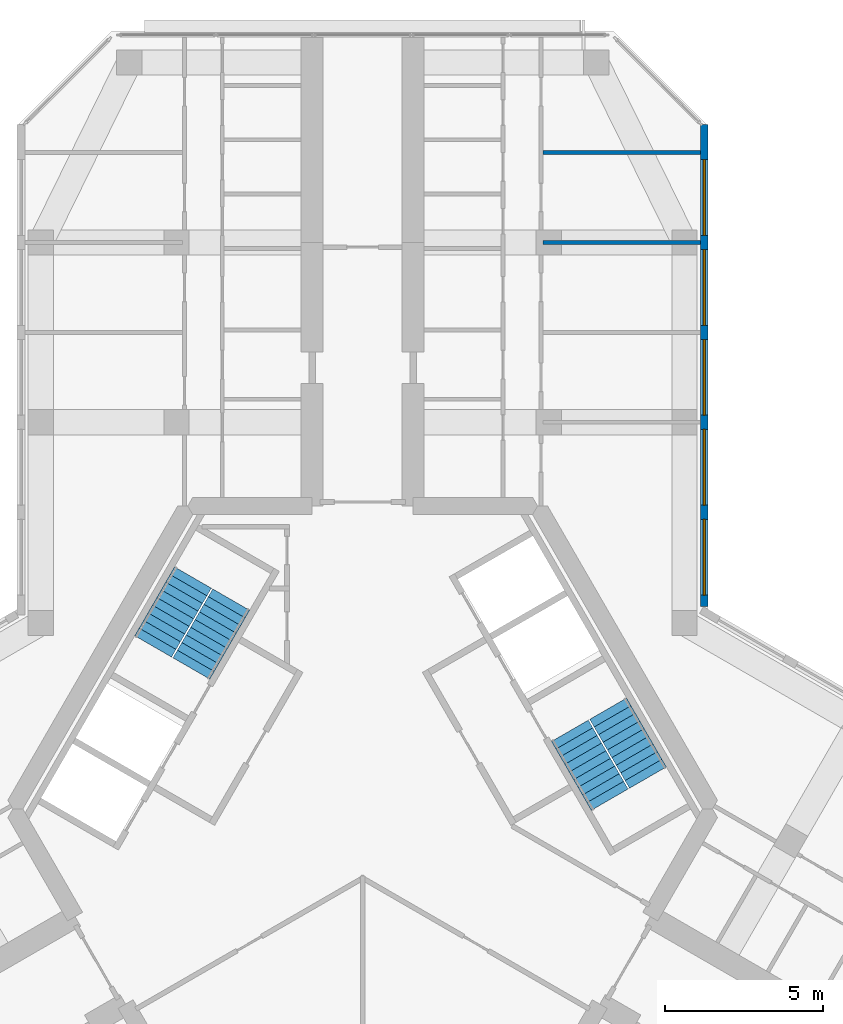
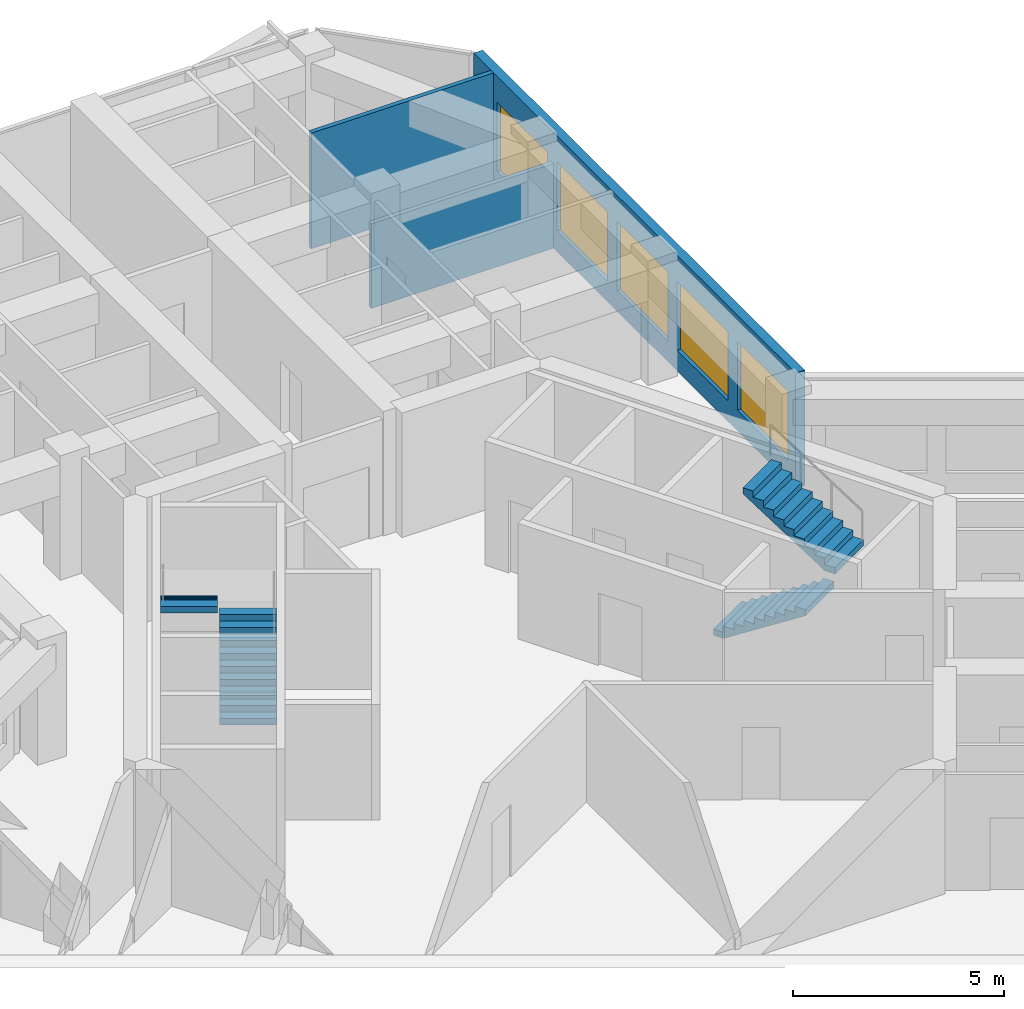
# One storey, part 13 of 14: 5 windows, 4 stair flights, 3 walls, 5 openings, 2 elements without a shape of their own.
"""IFC4 building model written with IfcOpenShell, lengths in metres."""

from ifc_helpers import new_model, si_unit, direction, frame, frame_2d, origin, place, context, subcontext, project, spatial, polyline, rectangle, outline, extrude, material, layer, layer_set, type_object, element, fill, aggregate, save


model = new_model("IFC4")

# Units and contexts
model_context = context("Model", 3, precision=1e-05, world=origin(), true_north=direction((0.0, 1.0)))
body_context = subcontext(model_context, "Body", "Model", "MODEL_VIEW")
ifc_project = project(units=[si_unit("LENGTHUNIT", "METRE"), si_unit("AREAUNIT", "SQUARE_METRE"), si_unit("VOLUMEUNIT", "CUBIC_METRE"), si_unit("PLANEANGLEUNIT", "RADIAN"), si_unit("MASSUNIT", "GRAM", prefix="KILO")], contexts=[model_context])

# Site, building, storey
site_placement = place(None, origin())
site = spatial("IfcSite", under=ifc_project, at=site_placement, CompositionType="ELEMENT")
building_placement = place(site_placement, origin())
building = spatial("IfcBuilding", under=site, at=building_placement, Name="Kosmar Iwan School Tower", CompositionType="ELEMENT")
storey_placement = place(building_placement, frame((0.0, 0.0, 281.800048828125)))
storey = spatial("IfcBuildingStorey", under=building, at=storey_placement, Name="L71", CompositionType="ELEMENT", Elevation=281.800048828125)

# Walls
ifc_material_1 = material(Name="Gypsum board on steel studs", Category="steel")
ifc_layer_1 = layer(ifc_material_1, 0.1201171875)
ifc_layer_set_1 = layer_set([ifc_layer_1], Name="Dwelling partition 120")
wall_type_1 = type_object("IfcWallType", Name="Dwelling partition 120", PredefinedType="PARTITIONING", material=ifc_layer_set_1)
wall_1_placement = place(storey_placement, frame((5.7099609375, 17.949951171875, 0.0), z_axis=(0.0, 0.0, 1.0), x_axis=(1.0, 0.0, 0.0)))
element("IfcWall", 1, at=wall_1_placement, inside=storey, type_object=wall_type_1, Name="Partition L71-AR1-X3", PredefinedType="PARTITIONING", context=body_context, shape_type="SweptSolid", body=[
    extrude(rectangle(XDim=4.989990234375, YDim=0.1201171875, at=frame_2d((2.4951171875, 0.0))), origin(), (0.0, 0.0, 1.0), 2.449951171875),
])
wall_2_placement = place(storey_placement, frame((5.7099609375, 20.800048828125, 0.0), z_axis=(0.0, 0.0, 1.0), x_axis=(1.0, 0.0, 0.0)))
element("IfcWall", 2, at=wall_2_placement, inside=storey, type_object=wall_type_1, Name="Partition L71-AR1-X4", PredefinedType="PARTITIONING", context=body_context, shape_type="SweptSolid", body=[
    extrude(rectangle(XDim=4.989990234375, YDim=0.1201171875, at=frame_2d((2.4951171875, 0.0))), origin(), (0.0, 0.0, 1.0), 3.349853515625),
])

# Wall, openings, windows
ifc_material_2 = material(Name="Black aluminium rainscreen on insulated framing", Category="aluminium")
ifc_layer_2 = layer(ifc_material_2, 0.25)
ifc_layer_set_2 = layer_set([ifc_layer_2], Name="External wall rainscreen 250")
wall_type_2 = type_object("IfcWallType", Name="External wall rainscreen 250", PredefinedType="SOLIDWALL", material=ifc_layer_set_2)
wall_3_placement = place(storey_placement, frame((10.824951171875, 6.408935546875, 0.0), z_axis=(0.0, 0.0, 1.0), x_axis=(0.0, 1.0, 0.0)))
wall_3 = element("IfcWall", 3, at=wall_3_placement, inside=storey, type_object=wall_type_2, Name="External wall AR L71", PredefinedType="SOLIDWALL", context=body_context, shape_type="SweptSolid", body=[
    extrude(rectangle(XDim=15.2763671875, YDim=0.25, at=frame_2d((7.63818359375, 0.0))), origin(), (0.0, 0.0, 1.0), 3.349853515625),
])
opening_1_placement = place(wall_3_placement, frame((0.365966796875, 0.0, 0.60009765625)))
opening_1 = element("IfcOpeningElement", 4, at=opening_1_placement, cuts=wall_3, Name="Opening W6", PredefinedType="OPENING", context=body_context, shape_type="SweptSolid", body=[
    extrude(rectangle(XDim=2.39990234375, YDim=2.0, at=frame_2d((1.199951171875, 1.0))), frame((0.0, 0.136962890625, 0.0), z_axis=(0.0, -1.0, 0.0), x_axis=(1.0, 0.0, 0.0)), (0.0, 0.0, 1.0), 0.27392578125),
])
opening_2_placement = place(wall_3_placement, frame((3.216064453125, 0.0, 0.60009765625)))
opening_2 = element("IfcOpeningElement", 5, at=opening_2_placement, cuts=wall_3, Name="Opening W6", PredefinedType="OPENING", context=body_context, shape_type="SweptSolid", body=[
    extrude(rectangle(XDim=2.39990234375, YDim=2.0, at=frame_2d((1.199951171875, 1.0))), frame((0.0, 0.136962890625, 0.0), z_axis=(0.0, -1.0, 0.0), x_axis=(1.0, 0.0, 0.0)), (0.0, 0.0, 1.0), 0.27392578125),
])
opening_3_placement = place(wall_3_placement, frame((6.06591796875, 0.0, 0.60009765625)))
opening_3 = element("IfcOpeningElement", 6, at=opening_3_placement, cuts=wall_3, Name="Opening W6", PredefinedType="OPENING", context=body_context, shape_type="SweptSolid", body=[
    extrude(rectangle(XDim=2.39990234375, YDim=2.0, at=frame_2d((1.199951171875, 1.0))), frame((0.0, 0.136962890625, 0.0), z_axis=(0.0, -1.0, 0.0), x_axis=(1.0, 0.0, 0.0)), (0.0, 0.0, 1.0), 0.27392578125),
])
opening_4_placement = place(wall_3_placement, frame((8.916015625, 0.0, 0.60009765625)))
opening_4 = element("IfcOpeningElement", 7, at=opening_4_placement, cuts=wall_3, Name="Opening W6", PredefinedType="OPENING", context=body_context, shape_type="SweptSolid", body=[
    extrude(rectangle(XDim=2.39990234375, YDim=2.0, at=frame_2d((1.199951171875, 1.0))), frame((0.0, 0.136962890625, 0.0), z_axis=(0.0, -1.0, 0.0), x_axis=(1.0, 0.0, 0.0)), (0.0, 0.0, 1.0), 0.27392578125),
])
opening_5_placement = place(wall_3_placement, frame((11.76611328125, 0.0, 0.60009765625)))
opening_5 = element("IfcOpeningElement", 8, at=opening_5_placement, cuts=wall_3, Name="Opening W6", PredefinedType="OPENING", context=body_context, shape_type="SweptSolid", body=[
    extrude(rectangle(XDim=2.39990234375, YDim=2.0, at=frame_2d((1.199951171875, 1.0))), frame((0.0, 0.136962890625, 0.0), z_axis=(0.0, -1.0, 0.0), x_axis=(1.0, 0.0, 0.0)), (0.0, 0.0, 1.0), 0.27392578125),
])
ifc_material_3 = material(Name="Black aluminium frame with dark triple glazing", Category="aluminium")
window_type = type_object("IfcWindowType", Name="Window 2400x2000", PartitioningType="SINGLE_PANEL", PredefinedType="WINDOW", material=ifc_material_3)
window_1_placement = place(opening_1_placement, origin())
window_1 = element("IfcWindow", 9, at=window_1_placement, inside=storey, type_object=window_type, Name="Window AR L71 -1", OverallHeight=2.0, OverallWidth=2.39990234375, PartitioningType="SINGLE_PANEL", PredefinedType="WINDOW", context=body_context, shape_type="SweptSolid", body=[
    extrude(rectangle(XDim=2.39990234375, YDim=2.0, at=frame_2d((1.199951171875, 1.0))), frame((0.0, 0.030029296875, 0.0), z_axis=(0.0, -1.0, 0.0), x_axis=(1.0, 0.0, 0.0)), (0.0, 0.0, 1.0), 0.06005859375),
])
fill(opening_1, window_1)
window_2_placement = place(opening_2_placement, origin())
window_2 = element("IfcWindow", 10, at=window_2_placement, inside=storey, type_object=window_type, Name="Window AR L71 0", OverallHeight=2.0, OverallWidth=2.39990234375, PartitioningType="SINGLE_PANEL", PredefinedType="WINDOW", context=body_context, shape_type="SweptSolid", body=[
    extrude(rectangle(XDim=2.39990234375, YDim=2.0, at=frame_2d((1.199951171875, 1.0))), frame((0.0, 0.030029296875, 0.0), z_axis=(0.0, -1.0, 0.0), x_axis=(1.0, 0.0, 0.0)), (0.0, 0.0, 1.0), 0.06005859375),
])
fill(opening_2, window_2)
window_3_placement = place(opening_3_placement, origin())
window_3 = element("IfcWindow", 11, at=window_3_placement, inside=storey, type_object=window_type, Name="Window AR L71 1", OverallHeight=2.0, OverallWidth=2.39990234375, PartitioningType="SINGLE_PANEL", PredefinedType="WINDOW", context=body_context, shape_type="SweptSolid", body=[
    extrude(rectangle(XDim=2.39990234375, YDim=2.0, at=frame_2d((1.199951171875, 1.0))), frame((0.0, 0.030029296875, 0.0), z_axis=(0.0, -1.0, 0.0), x_axis=(1.0, 0.0, 0.0)), (0.0, 0.0, 1.0), 0.06005859375),
])
fill(opening_3, window_3)
window_4_placement = place(opening_4_placement, origin())
window_4 = element("IfcWindow", 12, at=window_4_placement, inside=storey, type_object=window_type, Name="Window AR L71 2", OverallHeight=2.0, OverallWidth=2.39990234375, PartitioningType="SINGLE_PANEL", PredefinedType="WINDOW", context=body_context, shape_type="SweptSolid", body=[
    extrude(rectangle(XDim=2.39990234375, YDim=2.0, at=frame_2d((1.199951171875, 1.0))), frame((0.0, 0.030029296875, 0.0), z_axis=(0.0, -1.0, 0.0), x_axis=(1.0, 0.0, 0.0)), (0.0, 0.0, 1.0), 0.06005859375),
])
fill(opening_4, window_4)
window_5_placement = place(opening_5_placement, origin())
window_5 = element("IfcWindow", 13, at=window_5_placement, inside=storey, type_object=window_type, Name="Window AR L71 3", OverallHeight=2.0, OverallWidth=2.39990234375, PartitioningType="SINGLE_PANEL", PredefinedType="WINDOW", context=body_context, shape_type="SweptSolid", body=[
    extrude(rectangle(XDim=2.39990234375, YDim=2.0, at=frame_2d((1.199951171875, 1.0))), frame((0.0, 0.030029296875, 0.0), z_axis=(0.0, -1.0, 0.0), x_axis=(1.0, 0.0, 0.0)), (0.0, 0.0, 1.0), 0.06005859375),
])
fill(opening_5, window_5)

# Stair, stair flights
ifc_material_4 = material(Name="Concrete C35/45", Category="concrete")
stair_type = type_object("IfcStairType", Name="Core stair 2750", PredefinedType="HALF_TURN_STAIR", material=ifc_material_4)
stair_1_placement = place(storey_placement, origin())
stair_1 = element("IfcStair", 14, at=stair_1_placement, inside=storey, type_object=stair_type, Name="Stair ST2 L71", PredefinedType="HALF_TURN_STAIR")
ifc_material_5 = material(Name="Concrete C35/45", Category="concrete")
stair_flight_type = type_object("IfcStairFlightType", Name="Stair flight 1350", PredefinedType="STRAIGHT", material=ifc_material_5)
stair_flight_1_placement = place(storey_placement, frame((-5.42724609375, 4.44970703125, 0.0), z_axis=(0.0, 0.0, 1.0), x_axis=(0.5, 0.866025403784, 0.0)))
stair_flight_1 = element("IfcStairFlight", 15, at=stair_flight_1_placement, type_object=stair_flight_type, Name="ST2 flight 1", NumberOfRisers=10, NumberOfTreads=9, PredefinedType="STRAIGHT", RiserHeight=0.18, TreadLength=0.28, context=body_context, shape_type="SweptSolid", body=[
    extrude(outline(polyline([(0.0, 0.0), (0.0, 0.179931640625), (0.280029296875, 0.179931640625), (0.280029296875, 0.360107421875), (0.56005859375, 0.360107421875), (0.56005859375, 0.5400390625), (0.840087890625, 0.5400390625), (0.840087890625, 0.719970703125), (1.1201171875, 0.719970703125), (1.1201171875, 0.89990234375), (1.39990234375, 0.89990234375), (1.39990234375, 1.080078125), (1.679931640625, 1.080078125), (1.679931640625, 1.260009765625), (1.9599609375, 1.260009765625), (1.9599609375, 1.43994140625), (2.239990234375, 1.43994140625), (2.239990234375, 1.6201171875), (2.52001953125, 1.6201171875), (2.52001953125, 1.800048828125), (2.52001953125, 1.44189453125), (0.277099609375, 0.0), (0.0, 0.0)])), frame((0.0, 0.675048828125, 0.0), z_axis=(0.0, -1.0, 0.0), x_axis=(1.0, 0.0, 0.0)), (0.0, 0.0, 1.0), 1.35009765625),
])
stair_flight_2_placement = place(storey_placement, frame((-5.379638671875, 7.33203125, 1.800048828125), z_axis=(0.0, 0.0, 1.0), x_axis=(-0.5, -0.866025403784, 0.0)))
stair_flight_2 = element("IfcStairFlight", 16, at=stair_flight_2_placement, type_object=stair_flight_type, Name="ST2 flight 2", NumberOfRisers=10, NumberOfTreads=9, PredefinedType="STRAIGHT", RiserHeight=0.18, TreadLength=0.28, context=body_context, shape_type="SweptSolid", body=[
    extrude(outline(polyline([(0.0, 0.0), (0.0, 0.179931640625), (0.280029296875, 0.179931640625), (0.280029296875, 0.360107421875), (0.56005859375, 0.360107421875), (0.56005859375, 0.5400390625), (0.840087890625, 0.5400390625), (0.840087890625, 0.719970703125), (1.1201171875, 0.719970703125), (1.1201171875, 0.89990234375), (1.39990234375, 0.89990234375), (1.39990234375, 1.080078125), (1.679931640625, 1.080078125), (1.679931640625, 1.260009765625), (1.9599609375, 1.260009765625), (1.9599609375, 1.43994140625), (2.239990234375, 1.43994140625), (2.239990234375, 1.6201171875), (2.52001953125, 1.6201171875), (2.52001953125, 1.800048828125), (2.52001953125, 1.44189453125), (0.277099609375, 0.0), (0.0, 0.0)])), frame((0.0, 0.675048828125, 0.0), z_axis=(0.0, -1.0, 0.0), x_axis=(1.0, 0.0, 0.0)), (0.0, 0.0, 1.0), 1.35009765625),
])
aggregate(stair_1, [stair_flight_1, stair_flight_2])

stair_2_placement = place(storey_placement, origin())
stair_2 = element("IfcStair", 17, at=stair_2_placement, inside=storey, type_object=stair_type, Name="Stair ST1 L71", PredefinedType="HALF_TURN_STAIR")
stair_flight_3_placement = place(storey_placement, frame((6.567138671875, 2.475341796875, 0.0), z_axis=(0.0, 0.0, 1.0), x_axis=(0.5, -0.866025403784, 0.0)))
stair_flight_3 = element("IfcStairFlight", 18, at=stair_flight_3_placement, type_object=stair_flight_type, Name="ST1 flight 1", NumberOfRisers=10, NumberOfTreads=9, PredefinedType="STRAIGHT", RiserHeight=0.18, TreadLength=0.28, context=body_context, shape_type="SweptSolid", body=[
    extrude(outline(polyline([(0.0, 0.0), (0.0, 0.179931640625), (0.280029296875, 0.179931640625), (0.280029296875, 0.360107421875), (0.56005859375, 0.360107421875), (0.56005859375, 0.5400390625), (0.840087890625, 0.5400390625), (0.840087890625, 0.719970703125), (1.1201171875, 0.719970703125), (1.1201171875, 0.89990234375), (1.39990234375, 0.89990234375), (1.39990234375, 1.080078125), (1.679931640625, 1.080078125), (1.679931640625, 1.260009765625), (1.9599609375, 1.260009765625), (1.9599609375, 1.43994140625), (2.239990234375, 1.43994140625), (2.239990234375, 1.6201171875), (2.52001953125, 1.6201171875), (2.52001953125, 1.800048828125), (2.52001953125, 1.44189453125), (0.277099609375, 0.0), (0.0, 0.0)])), frame((0.0, 0.675048828125, 0.0), z_axis=(0.0, -1.0, 0.0), x_axis=(1.0, 0.0, 0.0)), (0.0, 0.0, 1.0), 1.35009765625),
])
stair_flight_4_placement = place(storey_placement, frame((9.03955078125, 0.992919921875, 1.800048828125), z_axis=(0.0, 0.0, 1.0), x_axis=(-0.5, 0.866025403784, 0.0)))
stair_flight_4 = element("IfcStairFlight", 19, at=stair_flight_4_placement, type_object=stair_flight_type, Name="ST1 flight 2", NumberOfRisers=10, NumberOfTreads=9, PredefinedType="STRAIGHT", RiserHeight=0.18, TreadLength=0.28, context=body_context, shape_type="SweptSolid", body=[
    extrude(outline(polyline([(0.0, 0.0), (0.0, 0.179931640625), (0.280029296875, 0.179931640625), (0.280029296875, 0.360107421875), (0.56005859375, 0.360107421875), (0.56005859375, 0.5400390625), (0.840087890625, 0.5400390625), (0.840087890625, 0.719970703125), (1.1201171875, 0.719970703125), (1.1201171875, 0.89990234375), (1.39990234375, 0.89990234375), (1.39990234375, 1.080078125), (1.679931640625, 1.080078125), (1.679931640625, 1.260009765625), (1.9599609375, 1.260009765625), (1.9599609375, 1.43994140625), (2.239990234375, 1.43994140625), (2.239990234375, 1.6201171875), (2.52001953125, 1.6201171875), (2.52001953125, 1.800048828125), (2.52001953125, 1.44189453125), (0.277099609375, 0.0), (0.0, 0.0)])), frame((0.0, 0.675048828125, 0.0), z_axis=(0.0, -1.0, 0.0), x_axis=(1.0, 0.0, 0.0)), (0.0, 0.0, 1.0), 1.35009765625),
])
aggregate(stair_2, [stair_flight_3, stair_flight_4])

save(model, "model.ifc")
